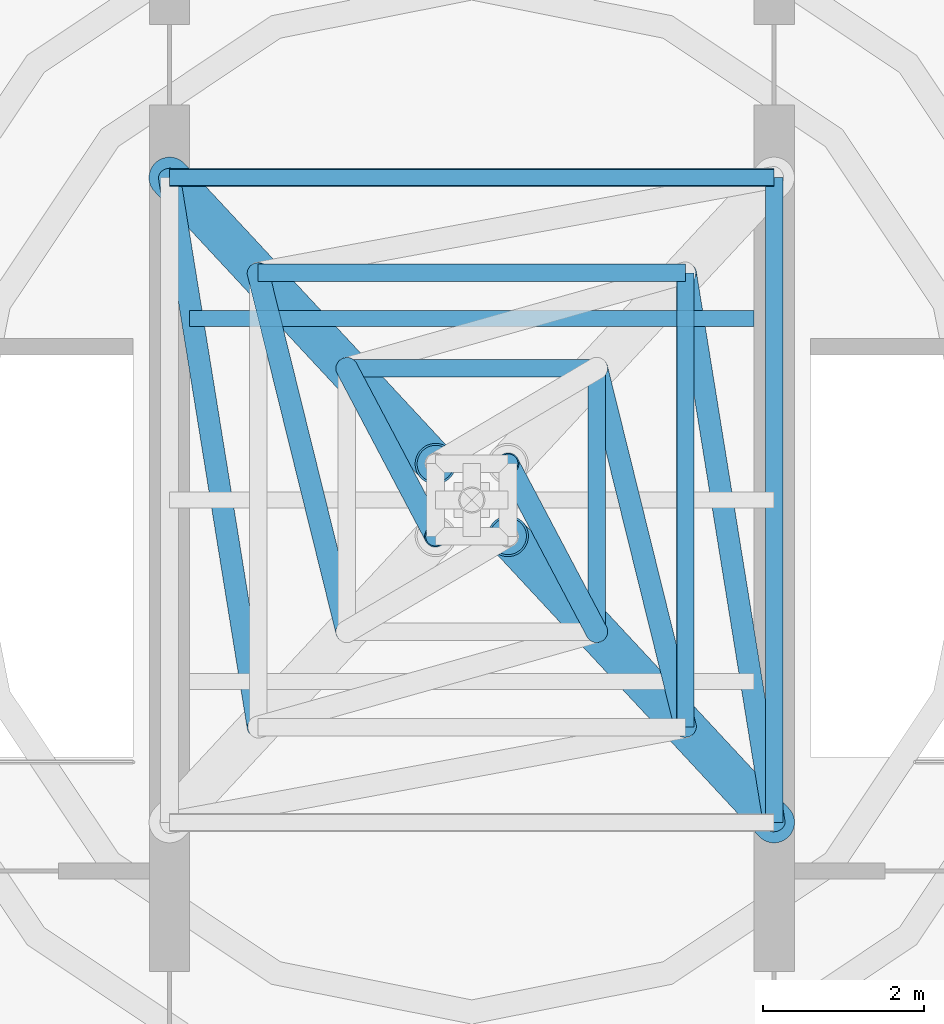
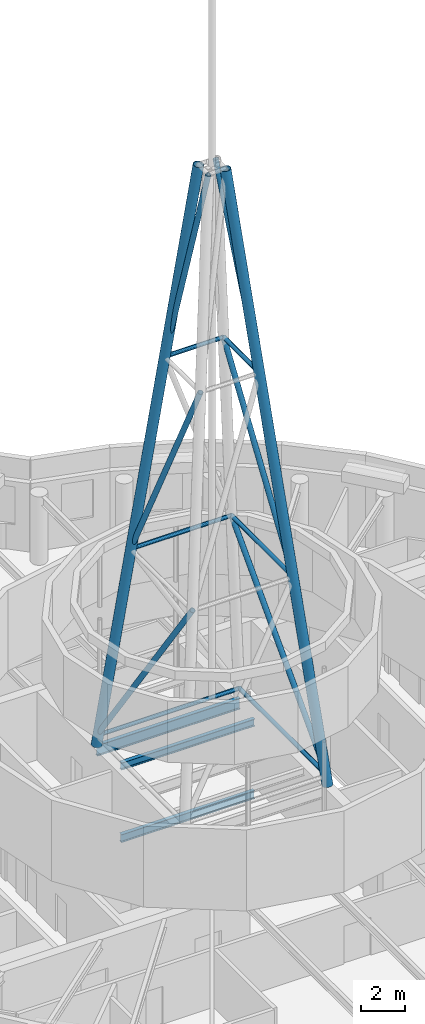
# One storey, part 6 of 17: 14 members, 3 beams.
"""IFC4 building model written with IfcOpenShell, lengths in metres."""

import ifcopenshell
import ifcopenshell.guid

model = None  # the IFC model being written
_history = None  # IfcOwnerHistory: only IFC2X3 demands one
_inside = {}  # id of a spatial element -> (the spatial element, [elements in it])
_under = {}  # id of a project, library or spatial element -> (it, [spatial elements below it])
_declared = {}  # id of a project -> (the project, [libraries it declares])
_typed = {}  # id of a type object -> (the type object, [elements of that type])
_made_of = {}  # id of a material, layer set ... -> (it, [elements and type objects made of it])


def new_model(schema):
    """Start an empty IFC model of exactly this schema.

    Asked for "IFC4X3", IfcOpenShell would pick the latest addendum, in which some entities
    have other attributes; the version numbers below select the first issue.
    IFC2X3 requires an IfcOwnerHistory on every rooted entity: one is made here for all.
    """
    global model, _history
    if schema == "IFC4X3":
        model = ifcopenshell.file(schema_version=(4, 3, 0, 0))
    else:
        model = ifcopenshell.file(schema=schema)
    _inside.clear()
    _under.clear()
    _declared.clear()
    _typed.clear()
    _made_of.clear()
    _history = None
    if model.schema == "IFC2X3":
        org = make("IfcOrganization", Name="unknown")
        user = make(
            "IfcPersonAndOrganization",
            ThePerson=make("IfcPerson", FamilyName="unknown"),
            TheOrganization=org,
        )
        app = make(
            "IfcApplication",
            ApplicationDeveloper=org,
            Version="unknown",
            ApplicationFullName="unknown",
            ApplicationIdentifier="unknown",
        )
        _history = make(
            "IfcOwnerHistory",
            OwningUser=user,
            OwningApplication=app,
            ChangeAction="ADDED",
            CreationDate=0,
        )
    return model


def make(cls, **values):
    """One entity of the class cls with the attributes given. An attribute that is None is left unset."""
    return model.create_entity(
        cls, **{name: value for name, value in values.items() if value is not None}
    )


def rooted(cls, **values):
    """An entity with a GlobalId (a new one), such as an element, a storey or a relation."""
    return make(cls, GlobalId=ifcopenshell.guid.new(), OwnerHistory=_history, **values)


def si_unit(unit_type, name, prefix=None):
    """IfcSIUnit, for example si_unit("LENGTHUNIT", "METRE", prefix="MILLI")."""
    return make("IfcSIUnit", UnitType=unit_type, Prefix=prefix, Name=name)


def assignment(units):
    """IfcUnitAssignment: the units of a project."""
    return None if units is None else make("IfcUnitAssignment", Units=units)


def point(xyz):
    """IfcCartesianPoint."""
    return None if xyz is None else make("IfcCartesianPoint", Coordinates=xyz)


def direction(xyz):
    """IfcDirection."""
    return None if xyz is None else make("IfcDirection", DirectionRatios=xyz)


def frame(location, z_axis=None, x_axis=None):
    """IfcAxis2Placement3D, a coordinate frame: its origin and axes. An axis left out is left unset."""
    return make(
        "IfcAxis2Placement3D",
        Location=point(location),
        Axis=direction(z_axis),
        RefDirection=direction(x_axis),
    )


def frame_2d(location, x_axis=None):
    """IfcAxis2Placement2D, a coordinate frame in the plane: its origin and x axis."""
    return make(
        "IfcAxis2Placement2D", Location=point(location), RefDirection=direction(x_axis)
    )


def origin():
    """The frame at (0, 0, 0) with its axes left unset."""
    return frame((0.0, 0.0, 0.0))


def origin_2d():
    """The frame at (0, 0) in the plane with its x axis left unset."""
    return frame_2d((0.0, 0.0))


def place(relative_to, where):
    """IfcLocalPlacement: puts the frame where relative to a parent placement (None: the world)."""
    return make(
        "IfcLocalPlacement", PlacementRelTo=relative_to, RelativePlacement=where
    )


def context(
    kind, dimensions, precision=None, world=None, true_north=None, identifier=None
):
    """IfcGeometricRepresentationContext, for example the 3D "Model" context."""
    return make(
        "IfcGeometricRepresentationContext",
        ContextIdentifier=identifier,
        ContextType=kind,
        CoordinateSpaceDimension=dimensions,
        Precision=precision,
        WorldCoordinateSystem=world,
        TrueNorth=true_north,
    )


def subcontext(parent, identifier, kind, view, scale=None):
    """IfcGeometricRepresentationSubContext, for example "Body" below "Model"."""
    return make(
        "IfcGeometricRepresentationSubContext",
        ContextIdentifier=identifier,
        ContextType=kind,
        ParentContext=parent,
        TargetScale=scale,
        TargetView=view,
    )


def project(units=None, contexts=None):
    """IfcProject with its units and contexts."""
    return rooted(
        "IfcProject",
        Name="project",
        RepresentationContexts=contexts,
        UnitsInContext=assignment(units),
    )


def spatial(cls, under=None, at=None, **own):
    """A site, building, storey or space (cls), placed at a placement, below another one or the project."""
    s = rooted(cls, ObjectPlacement=at, **own)
    if under is not None:
        _under.setdefault(under.id(), (under, []))[1].append(s)
    return s


def profile(cls, at=None, kind="AREA", **sizes):
    """A parametric profile (cls). Its sizes go by their IFC names, for example OverallWidth=200.0."""
    return make(cls, ProfileType=kind, Position=at, **sizes)


def hollow_circle(**sizes):
    """IfcCircleHollowProfileDef."""
    return profile("IfcCircleHollowProfileDef", **sizes)


def i_section(**sizes):
    """IfcIShapeProfileDef."""
    return profile("IfcIShapeProfileDef", **sizes)


def extrude(swept, where, along, depth):
    """IfcExtrudedAreaSolid: the profile swept, set in the frame where, extruded along a direction by depth."""
    return make(
        "IfcExtrudedAreaSolid",
        SweptArea=swept,
        Position=where,
        ExtrudedDirection=direction(along),
        Depth=depth,
    )


def shape(context_of_items, identifier, shape_type, items):
    """IfcShapeRepresentation: the items that make up one representation, for example the "Body"."""
    return make(
        "IfcShapeRepresentation",
        ContextOfItems=context_of_items,
        RepresentationIdentifier=identifier,
        RepresentationType=shape_type,
        Items=items,
    )


def material(Name=None, Category=None):
    """IfcMaterial."""
    return make("IfcMaterial", Name=Name, Category=Category)


def material_profile(
    of_material, cross_section, Name=None, Category=None, Priority=None
):
    """IfcMaterialProfile: a cross section and its material."""
    return make(
        "IfcMaterialProfile",
        Name=Name,
        Material=of_material,
        Profile=cross_section,
        Priority=Priority,
        Category=Category,
    )


def profile_set(profiles, Name=None, composite=None):
    """IfcMaterialProfileSet."""
    return make(
        "IfcMaterialProfileSet",
        Name=Name,
        MaterialProfiles=profiles,
        CompositeProfile=composite,
    )


def made_of(thing, what):
    """Note that an element or type object is made of a material, layer set ...; save() writes the relation."""
    if what is not None:
        _made_of.setdefault(what.id(), (what, []))[1].append(thing)
    return thing


def type_object(cls, material=None, **own):
    """A type object (cls), such as IfcWallType, which elements share."""
    return made_of(rooted(cls, **own), material)


def element(
    cls,
    number,
    at=None,
    inside=None,
    cuts=None,
    type_object=None,
    material=None,
    context=None,
    identifier="Body",
    shape_type=None,
    held_by="IfcProductDefinitionShape",
    body=None,
    shapes=None,
    **own,
):
    """One element of the class cls, such as IfcWall. Its Tag is "e" and its number.

    at: its placement. inside: the storey or other place that contains it. cuts: it is an
    opening in that element (IfcRelVoidsElement). A single representation is given by context,
    identifier, shape_type and body (its items); several are given by shapes. held_by: the class
    of the entity that holds the representations. save() writes the other relations.
    """
    e = rooted(cls, Tag="e%d" % number, ObjectPlacement=at, **own)
    if body is not None:
        shapes = [shape(context, identifier, shape_type, body)]
    if shapes is not None:
        e.Representation = make(held_by, Representations=shapes)
    if inside is not None:
        _inside.setdefault(inside.id(), (inside, []))[1].append(e)
    if cuts is not None:
        rooted(
            "IfcRelVoidsElement", RelatingBuildingElement=cuts, RelatedOpeningElement=e
        )
    if type_object is not None:
        _typed.setdefault(type_object.id(), (type_object, []))[1].append(e)
    return made_of(e, material)


def aggregate(whole, parts):
    """IfcRelAggregates: a whole, such as a stair, and the parts it consists of."""
    return rooted("IfcRelAggregates", RelatingObject=whole, RelatedObjects=parts)


def save(model, path):
    """Write the relations noted so far, then the file.

    IfcRelAggregates (storeys below a building ...), IfcRelContainedInSpatialStructure (elements
    in a storey), IfcRelDefinesByType, IfcRelAssociatesMaterial and IfcRelDeclares: one each for
    every whole, place, type object, material and project.
    """
    for whole, parts in _under.values():
        aggregate(whole, parts)
    for where, things in _inside.values():
        rooted(
            "IfcRelContainedInSpatialStructure",
            RelatedElements=things,
            RelatingStructure=where,
        )
    for kind, things in _typed.values():
        rooted("IfcRelDefinesByType", RelatedObjects=things, RelatingType=kind)
    for what, things in _made_of.values():
        rooted("IfcRelAssociatesMaterial", RelatedObjects=things, RelatingMaterial=what)
    for by, libraries in _declared.values():
        rooted("IfcRelDeclares", RelatingContext=by, RelatedDefinitions=libraries)
    model.write(path)


model = new_model("IFC4")

# Units and contexts
model_context = context("Model", 3, precision=1e-05, world=origin(), true_north=direction((0.0, 1.0)))
body_context = subcontext(model_context, "Body", "Model", "MODEL_VIEW")
ifc_project = project(units=[si_unit("LENGTHUNIT", "METRE"), si_unit("AREAUNIT", "SQUARE_METRE"), si_unit("VOLUMEUNIT", "CUBIC_METRE"), si_unit("PLANEANGLEUNIT", "RADIAN"), si_unit("MASSUNIT", "GRAM", prefix="KILO")], contexts=[model_context])

# Site, building, storey
site_placement = place(None, origin())
site = spatial("IfcSite", under=ifc_project, at=site_placement, CompositionType="ELEMENT")
building_placement = place(site_placement, origin())
building = spatial("IfcBuilding", under=site, at=building_placement, Name="Tamarind Cross Interchange Tower", CompositionType="ELEMENT")
storey_placement = place(building_placement, frame((0.0, 0.0, 325.39990234375)))
storey = spatial("IfcBuildingStorey", under=building, at=storey_placement, Name="L80", CompositionType="ELEMENT", Elevation=325.39990234375)

# Beams
ifc_material = material(Name="Steel Q355B", Category="steel")
ifc_material_profile_1 = material_profile(ifc_material, i_section(OverallWidth=0.199951171875, OverallDepth=0.39990234375, WebThickness=0.008056640625, FlangeThickness=0.012939453125, FilletRadius=0.01611328125, at=origin_2d()), Name="HN 400x200x8x13")
ifc_profile_set_1 = profile_set([ifc_material_profile_1], Name="Steel Q355B")
beam_type_1 = type_object("IfcBeamType", Name="Composite beam HN 400x200x8x13 Q355B", PredefinedType="BEAM", material=ifc_profile_set_1)
beam_1_placement = place(storey_placement, frame((-3.5, 2.25, 3.60009765625), z_axis=(1.0, 0.0, 0.0), x_axis=(0.0, 1.0, 0.0)))
element("IfcBeam", 1, at=beam_1_placement, inside=storey, type_object=beam_type_1, Name="Beam G2.25", PredefinedType="BEAM", context=body_context, shape_type="SweptSolid", body=[
    extrude(i_section(OverallWidth=0.199951171875, OverallDepth=0.39990234375, WebThickness=0.008056640625, FlangeThickness=0.012939453125, FilletRadius=0.01611328125, at=origin_2d()), origin(), (0.0, 0.0, 1.0), 7.0),
])
ifc_material_profile_2 = material_profile(ifc_material, i_section(OverallWidth=0.198974609375, OverallDepth=0.446044921875, WebThickness=0.008056640625, FlangeThickness=0.011962890625, FilletRadius=0.012939453125, at=origin_2d()), Name="HN 446x199x8x12")
ifc_profile_set_2 = profile_set([ifc_material_profile_2], Name="Steel Q355B")
beam_type_2 = type_object("IfcBeamType", Name="Composite beam HN 446x199x8x12 Q355B", PredefinedType="BEAM", material=ifc_profile_set_2)
beam_2_placement = place(storey_placement, frame((-3.5, 2.25, -0.40283203125), z_axis=(1.0, 0.0, 0.0), x_axis=(0.0, 1.0, 0.0)))
element("IfcBeam", 2, at=beam_2_placement, inside=storey, type_object=beam_type_2, Name="Beam G2.25", PredefinedType="BEAM", context=body_context, shape_type="SweptSolid", body=[
    extrude(i_section(OverallWidth=0.198974609375, OverallDepth=0.446044921875, WebThickness=0.008056640625, FlangeThickness=0.011962890625, FilletRadius=0.012939453125, at=origin_2d()), origin(), (0.0, 0.0, 1.0), 7.0),
])
ifc_material_profile_3 = material_profile(ifc_material, i_section(OverallWidth=0.199951171875, OverallDepth=0.60009765625, WebThickness=0.010986328125, FlangeThickness=0.01708984375, FilletRadius=0.012939453125, at=origin_2d()), Name="HN 600x200x11x17")
ifc_profile_set_3 = profile_set([ifc_material_profile_3], Name="Steel Q355B")
beam_type_3 = type_object("IfcBeamType", Name="Roof tie girder HN 600x200x11x17 Q355B", PredefinedType="BEAM", material=ifc_profile_set_3)
beam_3_placement = place(storey_placement, frame((-3.75, 4.0, 3.5), z_axis=(1.0, 0.0, 0.0), x_axis=(0.0, 1.0, 0.0)))
element("IfcBeam", 3, at=beam_3_placement, inside=storey, type_object=beam_type_3, Name="Roof tie girder 2", PredefinedType="BEAM", context=body_context, shape_type="SweptSolid", body=[
    extrude(i_section(OverallWidth=0.199951171875, OverallDepth=0.60009765625, WebThickness=0.010986328125, FlangeThickness=0.01708984375, FilletRadius=0.012939453125, at=origin_2d()), origin(), (0.0, 0.0, 1.0), 7.5),
])

# Members
ifc_material_profile_4 = material_profile(ifc_material, hollow_circle(Radius=0.136474609375, WallThickness=0.013916015625, at=origin_2d()), Name="CHS 273x14")
ifc_profile_set_4 = profile_set([ifc_material_profile_4], Name="Steel Q355B")
member_type_1 = type_object("IfcMemberType", Name="Spire brace CHS 273x14 Q355B", PredefinedType="BRACE", material=ifc_profile_set_4)
for number, where, z_axis, x_axis, name in (
    (4, (-3.75, 4.0, 4.300048828125), (0.086387614409, -0.535292628032, 0.840237455992), (0.987226593351, 0.159322482348, 0.0), "Spire brace 22"),
    (5, (3.75, -4.0, 4.300048828125), (-0.086387614409, 0.535292628032, 0.840237455992), (-0.987226593351, -0.159322482348, 0.0), "Spire brace 24"),
):
    element("IfcMember", number, at=place(storey_placement, frame(where, z_axis=z_axis, x_axis=x_axis)), inside=storey, type_object=member_type_1, Name=name, PredefinedType="BRACE", context=body_context, shape_type="SweptSolid", body=[
        extrude(hollow_circle(Radius=0.136474609375, WallThickness=0.013916015625, at=origin_2d()), origin(), (0.0, 0.0, 1.0), 12.734375),
    ])
for number, where, z_axis, x_axis, name in (
    (6, (-2.64990234375, 2.816650390625, 15.0), (0.092293840514, -0.373416166716, 0.923061327019), (0.970787562392, 0.239940635792, 0.0), "Spire brace 26"),
    (7, (2.64990234375, -2.816650390625, 15.0), (-0.092293840514, 0.373416166716, 0.923061327019), (-0.970787562392, -0.239940635792, 0.0), "Spire brace 28"),
):
    element("IfcMember", number, at=place(storey_placement, frame(where, z_axis=z_axis, x_axis=x_axis)), inside=storey, type_object=member_type_1, Name=name, PredefinedType="BRACE", context=body_context, shape_type="SweptSolid", body=[
        extrude(hollow_circle(Radius=0.136474609375, WallThickness=0.013916015625, at=origin_2d()), origin(), (0.0, 0.0, 1.0), 11.916748046875),
    ])
for number, where, z_axis, x_axis, name in (
    (8, (-1.550048828125, 1.63330078125, 26.0), (0.097791228323, -0.185186984305, 0.977825473439), (0.884278973261, 0.466958989044, 0.0), "Spire brace 30"),
    (9, (1.550048828125, -1.63330078125, 26.0), (-0.097791228323, 0.185186984305, 0.977825473439), (-0.884278973261, -0.466958989044, 0.0), "Spire brace 32"),
):
    element("IfcMember", number, at=place(storey_placement, frame(where, z_axis=z_axis, x_axis=x_axis)), inside=storey, type_object=member_type_1, Name=name, PredefinedType="BRACE", context=body_context, shape_type="SweptSolid", body=[
        extrude(hollow_circle(Radius=0.136474609375, WallThickness=0.013916015625, at=origin_2d()), origin(), (0.0, 0.0, 1.0), 11.24951171875),
    ])
ifc_material_profile_5 = material_profile(ifc_material, hollow_circle(Radius=0.25390625, WallThickness=0.02490234375, at=origin_2d()), Name="CHS 508x25")
ifc_profile_set_5 = profile_set([ifc_material_profile_5], Name="Steel Q355B")
member_type_2 = type_object("IfcMemberType", Name="Spire leg CHS 508x25 Q355B", PredefinedType="POST", material=ifc_profile_set_5)
for number, where, z_axis, x_axis, name in (
    (10, (-3.75, 4.0, 3.800048828125), (0.098356543925, -0.105807687002, 0.989510345392), (0.732425616883, 0.68084705752, 0.0), "Spire leg 2"),
    (11, (3.75, -4.0, 3.800048828125), (-0.098356543925, 0.105807687002, 0.989510345392), (-0.732425616883, -0.68084705752, 0.0), "Spire leg 4"),
):
    element("IfcMember", number, at=place(storey_placement, frame(where, z_axis=z_axis, x_axis=x_axis)), inside=storey, type_object=member_type_2, Name=name, PredefinedType="POST", context=body_context, shape_type="SweptSolid", body=[
        extrude(hollow_circle(Radius=0.25390625, WallThickness=0.02490234375, at=origin_2d()), origin(), (0.0, 0.0, 1.0), 33.552001953125),
    ])
ifc_material_profile_6 = material_profile(ifc_material, hollow_circle(Radius=0.109619140625, WallThickness=0.011962890625, at=origin_2d()), Name="CHS 219x12")
ifc_profile_set_6 = profile_set([ifc_material_profile_6], Name="Steel Q355B")
member_type_3 = type_object("IfcMemberType", Name="Spire ring CHS 219x12 Q355B", PredefinedType="CHORD", material=ifc_profile_set_6)
member_1_placement = place(storey_placement, frame((3.75, 4.0, 4.300048828125), z_axis=(-1.0, 0.0, 0.0), x_axis=(0.0, -1.0, 0.0)))
element("IfcMember", 12, at=member_1_placement, inside=storey, type_object=member_type_3, Name="Spire ring 5", PredefinedType="CHORD", context=body_context, shape_type="SweptSolid", body=[
    extrude(hollow_circle(Radius=0.109619140625, WallThickness=0.011962890625, at=origin_2d()), origin(), (0.0, 0.0, 1.0), 7.5),
])
member_2_placement = place(storey_placement, frame((3.75, -4.0, 4.300048828125), z_axis=(0.0, 1.0, 0.0), x_axis=(-1.0, 0.0, 0.0)))
element("IfcMember", 13, at=member_2_placement, inside=storey, type_object=member_type_3, Name="Spire ring 8", PredefinedType="CHORD", context=body_context, shape_type="SweptSolid", body=[
    extrude(hollow_circle(Radius=0.109619140625, WallThickness=0.011962890625, at=origin_2d()), origin(), (0.0, 0.0, 1.0), 8.0),
])
member_3_placement = place(storey_placement, frame((2.64990234375, 2.816650390625, 15.0), z_axis=(-1.0, 0.0, 0.0), x_axis=(0.0, -1.0, 0.0)))
element("IfcMember", 14, at=member_3_placement, inside=storey, type_object=member_type_3, Name="Spire ring 9", PredefinedType="CHORD", context=body_context, shape_type="SweptSolid", body=[
    extrude(hollow_circle(Radius=0.109619140625, WallThickness=0.011962890625, at=origin_2d()), origin(), (0.0, 0.0, 1.0), 5.2998046875),
])
member_4_placement = place(storey_placement, frame((2.64990234375, -2.816650390625, 15.0), z_axis=(0.0, 1.0, 0.0), x_axis=(-1.0, 0.0, 0.0)))
element("IfcMember", 15, at=member_4_placement, inside=storey, type_object=member_type_3, Name="Spire ring 12", PredefinedType="CHORD", context=body_context, shape_type="SweptSolid", body=[
    extrude(hollow_circle(Radius=0.109619140625, WallThickness=0.011962890625, at=origin_2d()), origin(), (0.0, 0.0, 1.0), 5.63330078125),
])
member_5_placement = place(storey_placement, frame((1.550048828125, 1.63330078125, 26.0), z_axis=(-1.0, 0.0, 0.0), x_axis=(0.0, -1.0, 0.0)))
element("IfcMember", 16, at=member_5_placement, inside=storey, type_object=member_type_3, Name="Spire ring 13", PredefinedType="CHORD", context=body_context, shape_type="SweptSolid", body=[
    extrude(hollow_circle(Radius=0.109619140625, WallThickness=0.011962890625, at=origin_2d()), origin(), (0.0, 0.0, 1.0), 3.10009765625),
])
member_6_placement = place(storey_placement, frame((1.550048828125, -1.63330078125, 26.0), z_axis=(0.0, 1.0, 0.0), x_axis=(-1.0, 0.0, 0.0)))
element("IfcMember", 17, at=member_6_placement, inside=storey, type_object=member_type_3, Name="Spire ring 16", PredefinedType="CHORD", context=body_context, shape_type="SweptSolid", body=[
    extrude(hollow_circle(Radius=0.109619140625, WallThickness=0.011962890625, at=origin_2d()), origin(), (0.0, 0.0, 1.0), 3.2666015625),
])

save(model, "model.ifc")
